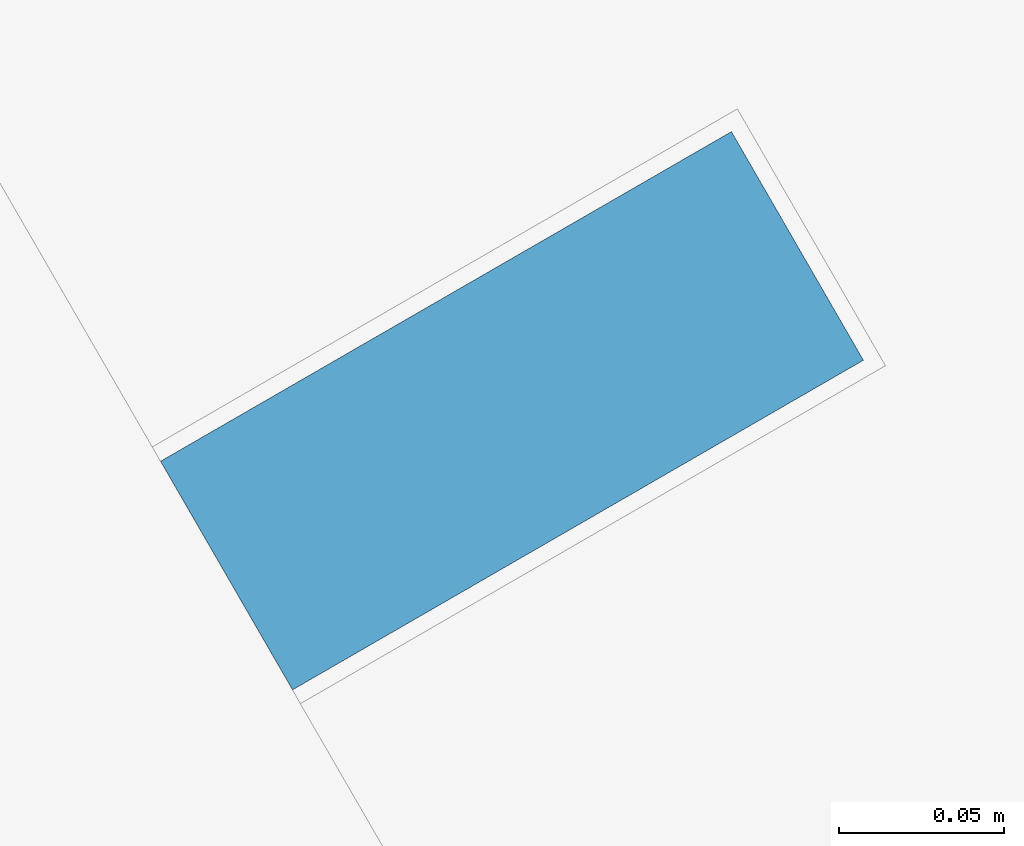
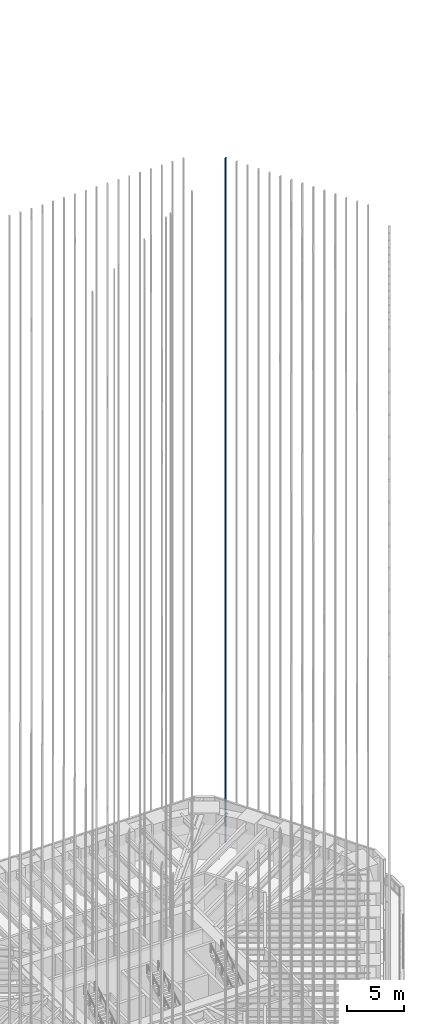
# One storey, part 218 of 228: 1 member, 1 element without a shape of its own.
"""IFC4 building model written with IfcOpenShell, lengths in metres."""

from ifc_helpers import new_model, si_unit, direction, frame, origin, origin_2d, place, context, subcontext, project, spatial, rectangle, extrude, material, material_profile, profile_set, type_object, element, aggregate, save


model = new_model("IFC4")

# Units and contexts
model_context = context("Model", 3, precision=1e-05, world=origin(), true_north=direction((0.0, 1.0)))
body_context = subcontext(model_context, "Body", "Model", "MODEL_VIEW")
ifc_project = project(units=[si_unit("LENGTHUNIT", "METRE"), si_unit("AREAUNIT", "SQUARE_METRE"), si_unit("VOLUMEUNIT", "CUBIC_METRE"), si_unit("PLANEANGLEUNIT", "RADIAN"), si_unit("MASSUNIT", "GRAM", prefix="KILO")], contexts=[model_context])

# Site, building, storey
site_placement = place(None, origin())
site = spatial("IfcSite", under=ifc_project, at=site_placement, CompositionType="ELEMENT")
building_placement = place(site_placement, origin())
building = spatial("IfcBuilding", under=site, at=building_placement, Name="Sandreach Pilgrim Tower", CompositionType="ELEMENT")
storey_placement = place(building_placement, frame((0.0, 0.0, 178.199951171875)))
storey = spatial("IfcBuildingStorey", under=building, at=storey_placement, Name="L44", CompositionType="ELEMENT", Elevation=178.199951171875)

# Curtain wall, member
ifc_material_1 = material(Name="Aluminium framed curtain wall", Category="aluminium")
curtain_wall_type = type_object("IfcCurtainWallType", Name="Upper hotel tower curtain wall", PredefinedType="NOTDEFINED", material=ifc_material_1)
curtain_wall_placement = place(storey_placement, origin())
curtain_wall = element("IfcCurtainWall", 1, at=curtain_wall_placement, inside=storey, type_object=curtain_wall_type, Name="CW-3 L44 NE", PredefinedType="NOTDEFINED")
ifc_material_2 = material(Name="Extruded terracotta on aluminium core", Category="masonry")
ifc_material_profile = material_profile(ifc_material_2, rectangle(XDim=0.080078125, YDim=0.199951171875, at=origin_2d()), Name="TBE 80X200")
ifc_profile_set = profile_set([ifc_material_profile], Name="Extruded terracotta on aluminium core")
member_type = type_object("IfcMemberType", Name="Terracotta baguette east", PredefinedType="USERDEFINED", material=ifc_profile_set)
member_placement = place(storey_placement, frame((19.708984375, 19.71337890625, 0.0), z_axis=(0.0, 0.0, 1.0), x_axis=(0.5, -0.866025403784, 0.0)))
member = element("IfcMember", 2, at=member_placement, type_object=member_type, Name="Baguette Z3 NE01", ObjectType="BAGUETTE", PredefinedType="USERDEFINED", context=body_context, shape_type="SweptSolid", body=[
    extrude(rectangle(XDim=0.080078125, YDim=0.199951171875, at=origin_2d()), origin(), (0.0, 0.0, 1.0), 73.239990234375),
])
aggregate(curtain_wall, [member])

save(model, "model.ifc")
